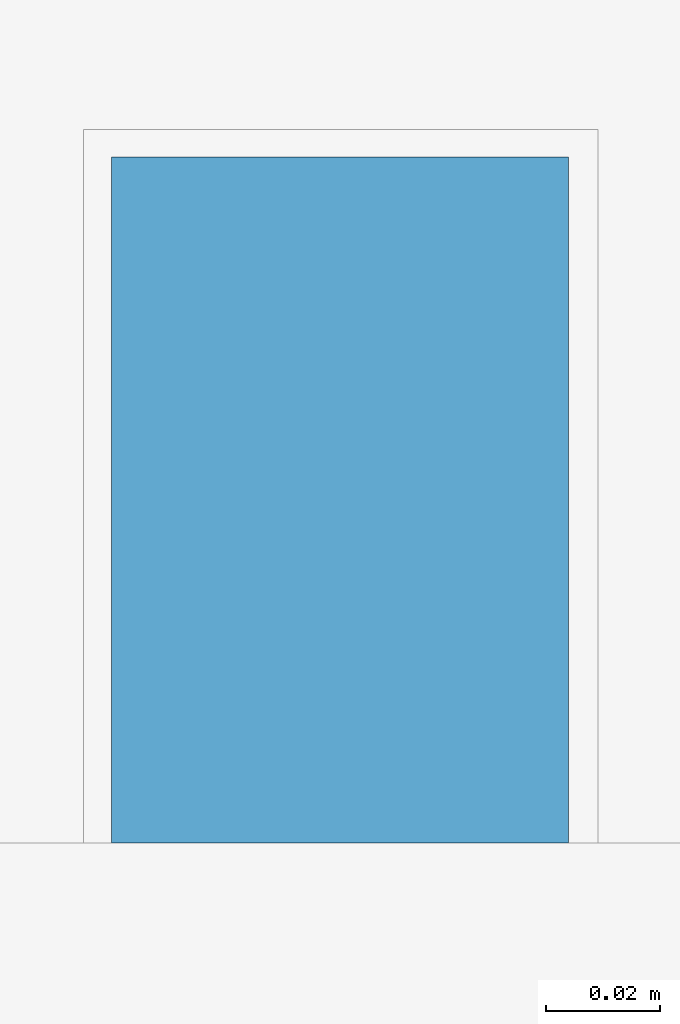
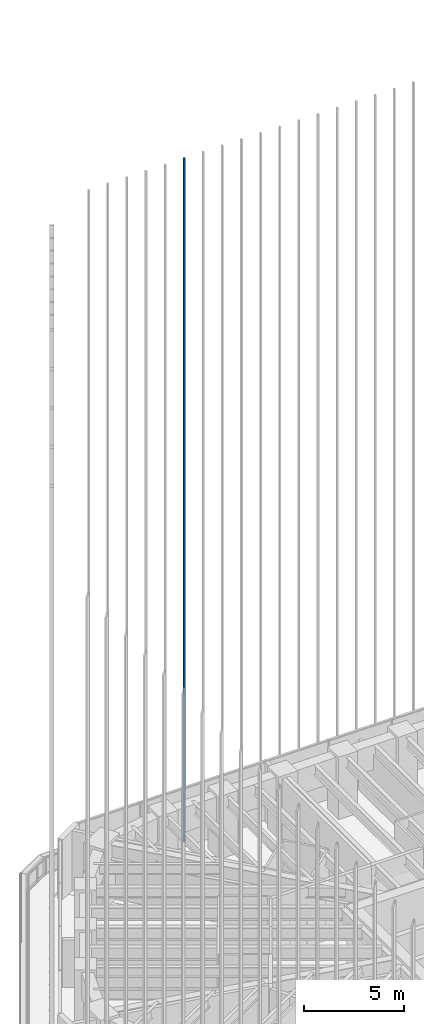
# One storey, part 72 of 127: 1 member, 1 element without a shape of its own.
"""IFC4 building model written with IfcOpenShell, lengths in metres."""

from ifc_helpers import new_model, si_unit, direction, frame, origin, origin_2d, place, context, subcontext, project, spatial, rectangle, extrude, material, material_profile, profile_set, type_object, element, aggregate, save


model = new_model("IFC4")

# Units and contexts
model_context = context("Model", 3, precision=1e-05, world=origin(), true_north=direction((0.0, 1.0)))
body_context = subcontext(model_context, "Body", "Model", "MODEL_VIEW")
ifc_project = project(units=[si_unit("LENGTHUNIT", "METRE"), si_unit("AREAUNIT", "SQUARE_METRE"), si_unit("VOLUMEUNIT", "CUBIC_METRE"), si_unit("PLANEANGLEUNIT", "RADIAN"), si_unit("MASSUNIT", "GRAM", prefix="KILO")], contexts=[model_context])

# Site, building, storey
site_placement = place(None, origin())
site = spatial("IfcSite", under=ifc_project, at=site_placement, CompositionType="ELEMENT")
building_placement = place(site_placement, origin())
building = spatial("IfcBuilding", under=site, at=building_placement, Name="Sandreach Pilgrim Tower", CompositionType="ELEMENT")
storey_placement = place(building_placement, frame((0.0, 0.0, 257.0)))
storey = spatial("IfcBuildingStorey", under=building, at=storey_placement, Name="L64", CompositionType="ELEMENT", Elevation=257.0)

# Curtain wall, member
ifc_material_1 = material(Name="Aluminium framed curtain wall", Category="aluminium")
curtain_wall_type = type_object("IfcCurtainWallType", Name="Suite tower curtain wall", PredefinedType="NOTDEFINED", material=ifc_material_1)
curtain_wall_placement = place(storey_placement, origin())
curtain_wall = element("IfcCurtainWall", 1, at=curtain_wall_placement, inside=storey, type_object=curtain_wall_type, Name="CW-4 L64 N", PredefinedType="NOTDEFINED")
ifc_material_2 = material(Name="Extruded terracotta on aluminium core", Category="masonry")
ifc_material_profile = material_profile(ifc_material_2, rectangle(XDim=0.080078125, YDim=0.1201171875, at=origin_2d()), Name="TBN 80X120")
ifc_profile_set = profile_set([ifc_material_profile], Name="Extruded terracotta on aluminium core")
member_type = type_object("IfcMemberType", Name="Terracotta baguette north", PredefinedType="USERDEFINED", material=ifc_profile_set)
member_placement = place(storey_placement, frame((-9.90380859375, 20.1865234375, 0.0), z_axis=(0.0, 0.0, 1.0), x_axis=(1.0, 0.0, 0.0)))
member = element("IfcMember", 2, at=member_placement, type_object=member_type, Name="Baguette Z4 N06", ObjectType="BAGUETTE", PredefinedType="USERDEFINED", context=body_context, shape_type="SweptSolid", body=[
    extrude(rectangle(XDim=0.080078125, YDim=0.1201171875, at=origin_2d()), origin(), (0.0, 0.0, 1.0), 41.639892578125),
])
aggregate(curtain_wall, [member])

save(model, "model.ifc")
